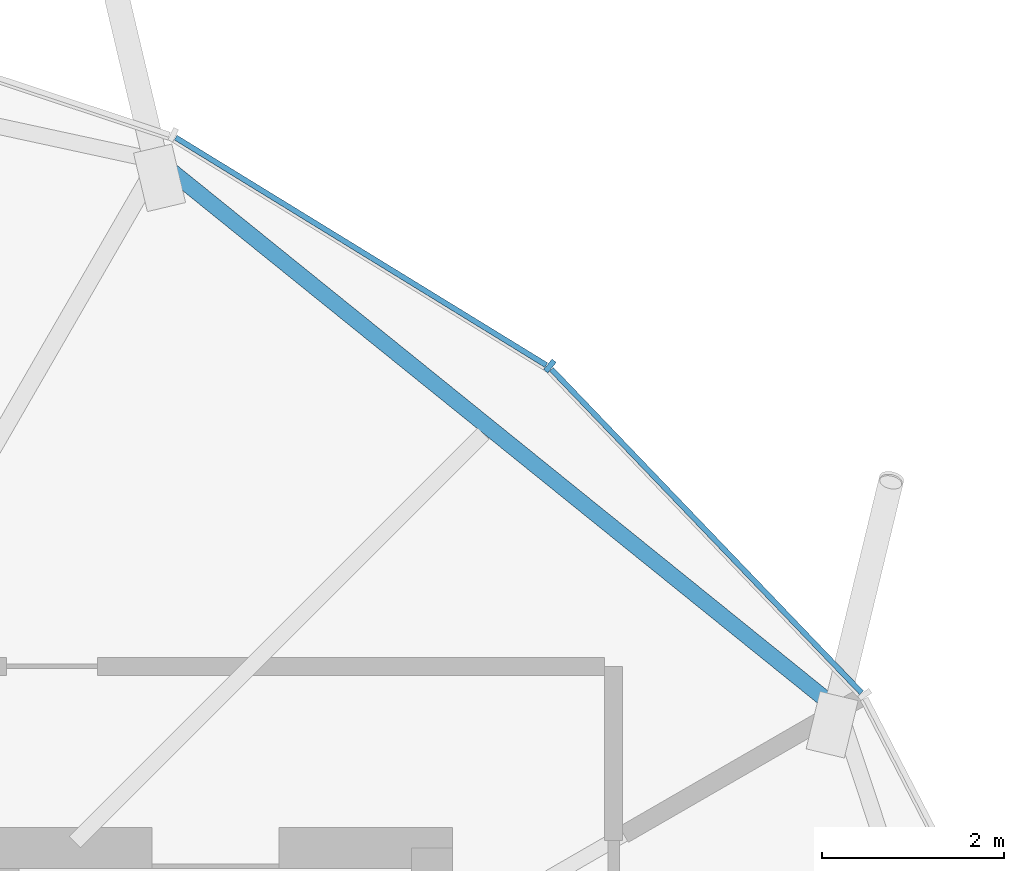
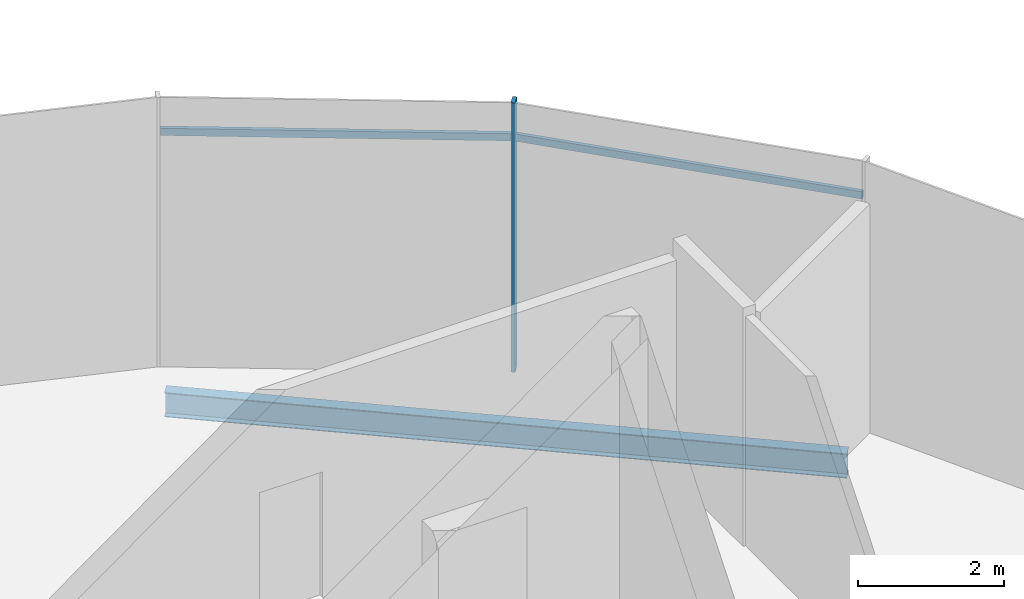
# One storey, part 8 of 31: 3 members, 1 beam, 1 element without a shape of its own.
"""IFC4 building model written with IfcOpenShell, lengths in metres."""

from ifc_helpers import new_model, si_unit, direction, frame, origin, origin_2d, place, context, subcontext, project, spatial, rectangle, i_section, extrude, material, material_profile, profile_set, type_object, element, aggregate, save


model = new_model("IFC4")

# Units and contexts
model_context = context("Model", 3, precision=1e-05, world=origin(), true_north=direction((0.0, 1.0)))
body_context = subcontext(model_context, "Body", "Model", "MODEL_VIEW")
ifc_project = project(units=[si_unit("LENGTHUNIT", "METRE"), si_unit("AREAUNIT", "SQUARE_METRE"), si_unit("VOLUMEUNIT", "CUBIC_METRE"), si_unit("PLANEANGLEUNIT", "RADIAN"), si_unit("MASSUNIT", "GRAM", prefix="KILO")], contexts=[model_context])

# Site, building, storey
site_placement = place(None, origin())
site = spatial("IfcSite", under=ifc_project, at=site_placement, CompositionType="ELEMENT")
building_placement = place(site_placement, origin())
building = spatial("IfcBuilding", under=site, at=building_placement, Name="Rimbun Link Towers", CompositionType="ELEMENT")
storey_placement = place(building_placement, frame((0.0, 0.0, 263.10009765625)))
storey = spatial("IfcBuildingStorey", under=building, at=storey_placement, Name="L64", CompositionType="ELEMENT", Elevation=263.10009765625)

# Curtain wall, members
ifc_material_1 = material(Name="Aluminium 6063-T6 and low-iron glass", Category="aluminium")
curtain_wall_type = type_object("IfcCurtainWallType", Name="CW5 full height lobby wall", PredefinedType="NOTDEFINED", material=ifc_material_1)
curtain_wall_placement = place(storey_placement, origin())
curtain_wall = element("IfcCurtainWall", 1, at=curtain_wall_placement, inside=storey, type_object=curtain_wall_type, Name="CW5 L64 T1", PredefinedType="NOTDEFINED")
ifc_material_2 = material(Name="Aluminium 6063-T6", Category="aluminium")
ifc_material_profile_1 = material_profile(ifc_material_2, rectangle(XDim=0.14990234375, YDim=0.06005859375, at=origin_2d()), Name="MULLION 60X150")
ifc_profile_set_1 = profile_set([ifc_material_profile_1], Name="Aluminium 6063-T6")
member_type_1 = type_object("IfcMemberType", Name="CW5 mullion 60X150", PredefinedType="MULLION", material=ifc_profile_set_1)
member_1_placement = place(storey_placement, frame((-18.451904296875, 13.3095703125, 0.0), z_axis=(0.0, 0.0, 1.0), x_axis=(0.627673907334, 0.778476374755, 0.0)))
member_1 = element("IfcMember", 2, at=member_1_placement, type_object=member_type_1, Name="CW5 mullion", PredefinedType="MULLION", context=body_context, shape_type="SweptSolid", body=[
    extrude(rectangle(XDim=0.14990234375, YDim=0.06005859375, at=origin_2d()), origin(), (0.0, 0.0, 1.0), 4.5),
])
ifc_material_3 = material(Name="Aluminium 6063-T6", Category="aluminium")
ifc_material_profile_2 = material_profile(ifc_material_3, rectangle(XDim=0.06005859375, YDim=0.1201171875, at=origin_2d()), Name="TRANSOM 60X120")
ifc_profile_set_2 = profile_set([ifc_material_profile_2], Name="Aluminium 6063-T6")
member_type_2 = type_object("IfcMemberType", Name="CW5 transom 60X120", PredefinedType="USERDEFINED", material=ifc_profile_set_2)
member_2_placement = place(storey_placement, frame((-18.433349609375, 13.2724609375, 3.89990234375), z_axis=(0.692032156482, -0.721866673559, 0.0), x_axis=(0.721866673559, 0.692032156482, 0.0)))
member_2 = element("IfcMember", 3, at=member_2_placement, type_object=member_type_2, Name="CW5 transom", ObjectType="TRANSOM", PredefinedType="USERDEFINED", context=body_context, shape_type="SweptSolid", body=[
    extrude(rectangle(XDim=0.06005859375, YDim=0.1201171875, at=origin_2d()), origin(), (0.0, 0.0, 1.0), 4.934326171875),
])
member_3_placement = place(storey_placement, frame((-22.57568359375, 15.8271484375, 3.89990234375), z_axis=(0.852170428622, -0.523264331463, 0.0), x_axis=(0.523264331463, 0.852170428622, 0.0)))
member_3 = element("IfcMember", 4, at=member_3_placement, type_object=member_type_2, Name="CW5 transom", ObjectType="TRANSOM", PredefinedType="USERDEFINED", context=body_context, shape_type="SweptSolid", body=[
    extrude(rectangle(XDim=0.06005859375, YDim=0.1201171875, at=origin_2d()), origin(), (0.0, 0.0, 1.0), 4.792236328125),
])
aggregate(curtain_wall, [member_1, member_2, member_3])

# Beam
ifc_material_4 = material(Name="Steel S355J2", Category="steel")
ifc_material_profile_3 = material_profile(ifc_material_4, i_section(OverallWidth=0.177978515625, OverallDepth=0.406494140625, WebThickness=0.0078125, FlangeThickness=0.0126953125, at=origin_2d()), Name="UB 406x178x60")
ifc_profile_set_3 = profile_set([ifc_material_profile_3], Name="Steel S355J2")
beam_type = type_object("IfcBeamType", Name="UB 406x178x60", PredefinedType="BEAM", material=ifc_profile_set_3)
beam_placement = place(storey_placement, frame((-15.335205078125, 9.573486328125, -0.38330078125), z_axis=(-0.778080116304, 0.628165052046, 0.0), x_axis=(-0.628165052046, -0.778080116304, 0.0)))
element("IfcBeam", 5, at=beam_placement, inside=storey, type_object=beam_type, Name="Edge beam T1 L64 02-04", PredefinedType="BEAM", context=body_context, shape_type="SweptSolid", body=[
    extrude(i_section(OverallWidth=0.177978515625, OverallDepth=0.406494140625, WebThickness=0.0078125, FlangeThickness=0.0126953125, at=origin_2d()), origin(), (0.0, 0.0, 1.0), 9.447021484375),
])

save(model, "model.ifc")
